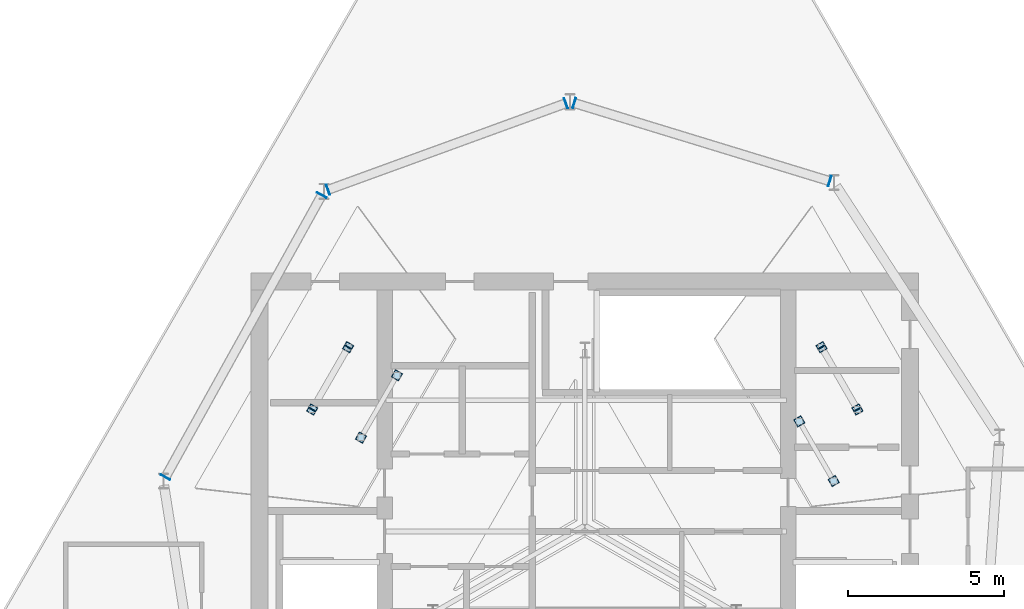
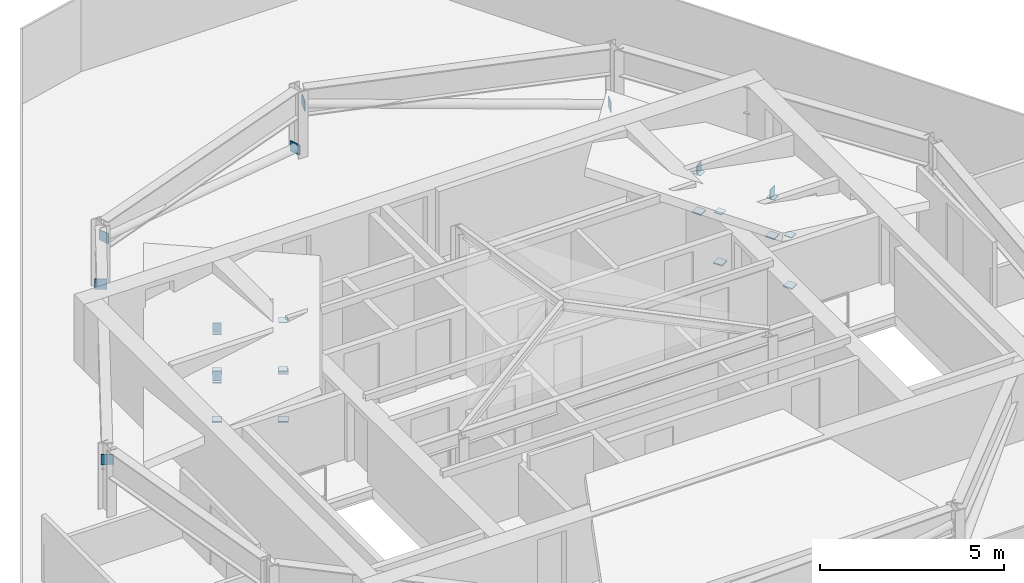
# One storey, part 6 of 9: 26 plates.
"""IFC4 building model written with IfcOpenShell, lengths in metres."""

from ifc_helpers import new_model, si_unit, direction, frame, origin, origin_2d, place, context, subcontext, project, spatial, rectangle, extrude, material, layer, layer_set, type_object, element, save


model = new_model("IFC4")

# Units and contexts
model_context = context("Model", 3, precision=1e-05, world=origin(), true_north=direction((0.0, 1.0)))
body_context = subcontext(model_context, "Body", "Model", "MODEL_VIEW")
ifc_project = project(units=[si_unit("LENGTHUNIT", "METRE"), si_unit("AREAUNIT", "SQUARE_METRE"), si_unit("VOLUMEUNIT", "CUBIC_METRE"), si_unit("PLANEANGLEUNIT", "RADIAN"), si_unit("MASSUNIT", "GRAM", prefix="KILO")], contexts=[model_context])

# Site, building, storey
site_placement = place(None, origin())
site = spatial("IfcSite", under=ifc_project, at=site_placement, CompositionType="ELEMENT")
building_placement = place(site_placement, origin())
building = spatial("IfcBuilding", under=site, at=building_placement, Name="Qarnah Convention Tower", CompositionType="ELEMENT")
storey_placement = place(building_placement, frame((0.0, 0.0, 292.89990234375)))
storey = spatial("IfcBuildingStorey", under=building, at=storey_placement, Name="L79", CompositionType="ELEMENT", Elevation=292.89990234375)

# Plates
ifc_material = material(Name="Structural steel S355JR", Category="steel")
ifc_layer_1 = layer(ifc_material, 0.0400390625)
ifc_layer_set_1 = layer_set([ifc_layer_1], Name="Structural steel S355JR")
plate_type_1 = type_object("IfcPlateType", Name="PLT-BASE-40", PredefinedType="USERDEFINED", material=ifc_layer_set_1)
for number, where, z_axis, x_axis, name in (
    (1, (31.193115234375, 31.196044921875, 0.0), (0.0, 0.0, 1.0), (-0.499972792763, -0.86604111132, 0.0), "L79 purlin post base plate 1.1A"),
    (2, (30.04296875, 29.2041015625, 0.0), (0.0, 0.0, 1.0), (-0.499972792763, -0.86604111132, 0.0), "L79 purlin post base plate 1.1B"),
    (3, (29.634033203125, 32.095947265625, 0.0), (0.0, 0.0, 1.0), (-0.499972792763, -0.86604111132, 0.0), "L79 purlin post base plate 1.2A"),
    (4, (28.48388671875, 30.10400390625, 0.0), (0.0, 0.0, 1.0), (-0.499972792763, -0.86604111132, 0.0), "L79 purlin post base plate 1.2B"),
    (5, (45.156982421875, 27.818115234375, 0.0), (0.0, 0.0, 1.0), (-0.499853377387, 0.866110039842, 0.0), "L79 purlin post base plate 3.1A"),
    (6, (44.056884765625, 29.72412109375, 0.0), (0.0, 0.0, 1.0), (-0.499853377387, 0.866110039842, 0.0), "L79 purlin post base plate 3.1B"),
    (7, (45.916015625, 30.10400390625, 0.0), (0.0, 0.0, 1.0), (-0.499972792763, 0.86604111132, 0.0), "L79 purlin post base plate 3.2A"),
    (8, (44.76611328125, 32.095947265625, 0.0), (0.0, 0.0, 1.0), (-0.499972792763, 0.86604111132, 0.0), "L79 purlin post base plate 3.2B"),
):
    element("IfcPlate", number, at=place(storey_placement, frame(where, z_axis=z_axis, x_axis=x_axis)), inside=storey, type_object=plate_type_1, Name=name, ObjectType="BASE_PLATE", PredefinedType="USERDEFINED", context=body_context, shape_type="SweptSolid", body=[
        extrude(rectangle(XDim=0.280029296875, YDim=0.280029296875, at=origin_2d()), origin(), (0.0, 0.0, 1.0), 0.0400390625),
    ])
ifc_layer_2 = layer(ifc_material, 0.028076171875)
ifc_layer_set_2 = layer_set([ifc_layer_2], Name="Structural steel S355JR")
plate_type_2 = type_object("IfcPlateType", Name="PLT-FLANGE-28", PredefinedType="USERDEFINED", material=ifc_layer_set_2)
for number, where, z_axis, x_axis, name in (
    (9, (45.030029296875, 37.403076171875, 0.080078125), (0.0, 0.0, 1.0), (-0.956288935732, 0.292423445361, 0.0), "L79 crown brace end cap plate 02.1"),
    (10, (36.861083984375, 39.90087890625, 1.47998046875), (0.0, 0.0, 1.0), (-0.956288935732, 0.292423445361, 0.0), "L79 crown brace end cap plate 02.2"),
    (11, (36.594970703125, 39.89404296875, 0.080078125), (0.0, 0.0, 1.0), (-0.939692620786, -0.342020143326, 0.0), "L79 crown brace end cap plate 03.1"),
    (12, (28.989990234375, 37.1259765625, 1.47998046875), (0.0, 0.0, 1.0), (-0.939692620786, -0.342020143326, 0.0), "L79 crown brace end cap plate 03.2"),
    (13, (28.7900390625, 36.9560546875, 0.080078125), (0.0, 0.0, 1.0), (-0.484753138759, -0.874651012955, 0.0), "L79 crown brace end cap plate 04.1"),
    (14, (23.7919921875, 27.93798828125, 1.47998046875), (0.0, 0.0, 1.0), (-0.484753138759, -0.874651012955, 0.0), "L79 crown brace end cap plate 04.2"),
):
    element("IfcPlate", number, at=place(storey_placement, frame(where, z_axis=z_axis, x_axis=x_axis)), inside=storey, type_object=plate_type_2, Name=name, ObjectType="FLANGE_PLATE", PredefinedType="USERDEFINED", context=body_context, shape_type="SweptSolid", body=[
        extrude(rectangle(XDim=0.028076171875, YDim=0.340087890625, at=origin_2d()), origin(), (0.0, 0.0, 1.0), 0.340087890625),
    ])
for number, where, z_axis, x_axis, name in (
    (15, (31.193115234375, 31.196044921875, 1.68603515625), (0.0, 0.0, 1.0), (-0.499972792763, -0.86604111132, 0.0), "L79 purlin post cap plate 1.1A"),
    (16, (30.04296875, 29.2041015625, 1.68603515625), (0.0, 0.0, 1.0), (-0.499972792763, -0.86604111132, 0.0), "L79 purlin post cap plate 1.1B"),
    (17, (29.634033203125, 32.095947265625, 1.2919921875), (0.0, 0.0, 1.0), (-0.499972792763, -0.86604111132, 0.0), "L79 purlin post cap plate 1.2A"),
):
    element("IfcPlate", number, at=place(storey_placement, frame(where, z_axis=z_axis, x_axis=x_axis)), inside=storey, type_object=plate_type_2, Name=name, ObjectType="FLANGE_PLATE", PredefinedType="USERDEFINED", context=body_context, shape_type="SweptSolid", body=[
        extrude(rectangle(XDim=0.239990234375, YDim=0.239990234375, at=origin_2d()), origin(), (0.0, 0.0, 1.0), 0.028076171875),
    ])
plate_1_placement = place(storey_placement, frame((29.634033203125, 32.095947265625, 1.27587890625), z_axis=(0.0, 0.0, 1.0), x_axis=(-0.499972792763, -0.86604111132, 0.0)))
element("IfcPlate", 18, at=plate_1_placement, inside=storey, type_object=plate_type_2, Name="L79 purlin end cap plate 1.2A", ObjectType="FLANGE_PLATE", PredefinedType="USERDEFINED", context=body_context, shape_type="SweptSolid", body=[
    extrude(rectangle(XDim=0.028076171875, YDim=0.239990234375, at=origin_2d()), origin(), (0.0, 0.0, 1.0), 0.340087890625),
])
plate_2_placement = place(storey_placement, frame((28.48388671875, 30.10400390625, 1.2919921875), z_axis=(0.0, 0.0, 1.0), x_axis=(-0.499972792763, -0.86604111132, 0.0)))
element("IfcPlate", 19, at=plate_2_placement, inside=storey, type_object=plate_type_2, Name="L79 purlin post cap plate 1.2B", ObjectType="FLANGE_PLATE", PredefinedType="USERDEFINED", context=body_context, shape_type="SweptSolid", body=[
    extrude(rectangle(XDim=0.239990234375, YDim=0.239990234375, at=origin_2d()), origin(), (0.0, 0.0, 1.0), 0.028076171875),
])
plate_3_placement = place(storey_placement, frame((28.48388671875, 30.10400390625, 1.27587890625), z_axis=(0.0, 0.0, 1.0), x_axis=(-0.499972792763, -0.86604111132, 0.0)))
element("IfcPlate", 20, at=plate_3_placement, inside=storey, type_object=plate_type_2, Name="L79 purlin end cap plate 1.2B", ObjectType="FLANGE_PLATE", PredefinedType="USERDEFINED", context=body_context, shape_type="SweptSolid", body=[
    extrude(rectangle(XDim=0.028076171875, YDim=0.239990234375, at=origin_2d()), origin(), (0.0, 0.0, 1.0), 0.340087890625),
])
for number, where, z_axis, x_axis, name in (
    (21, (45.156982421875, 27.818115234375, 1.68603515625), (0.0, 0.0, 1.0), (-0.499853377387, 0.866110039842, 0.0), "L79 purlin post cap plate 3.1A"),
    (22, (44.056884765625, 29.72412109375, 1.68603515625), (0.0, 0.0, 1.0), (-0.499853377387, 0.866110039842, 0.0), "L79 purlin post cap plate 3.1B"),
    (23, (45.916015625, 30.10400390625, 1.2919921875), (0.0, 0.0, 1.0), (-0.499972792763, 0.86604111132, 0.0), "L79 purlin post cap plate 3.2A"),
):
    element("IfcPlate", number, at=place(storey_placement, frame(where, z_axis=z_axis, x_axis=x_axis)), inside=storey, type_object=plate_type_2, Name=name, ObjectType="FLANGE_PLATE", PredefinedType="USERDEFINED", context=body_context, shape_type="SweptSolid", body=[
        extrude(rectangle(XDim=0.239990234375, YDim=0.239990234375, at=origin_2d()), origin(), (0.0, 0.0, 1.0), 0.028076171875),
    ])
plate_4_placement = place(storey_placement, frame((45.916015625, 30.10400390625, 1.27587890625), z_axis=(0.0, 0.0, 1.0), x_axis=(-0.499972792763, 0.86604111132, 0.0)))
element("IfcPlate", 24, at=plate_4_placement, inside=storey, type_object=plate_type_2, Name="L79 purlin end cap plate 3.2A", ObjectType="FLANGE_PLATE", PredefinedType="USERDEFINED", context=body_context, shape_type="SweptSolid", body=[
    extrude(rectangle(XDim=0.028076171875, YDim=0.239990234375, at=origin_2d()), origin(), (0.0, 0.0, 1.0), 0.340087890625),
])
plate_5_placement = place(storey_placement, frame((44.76611328125, 32.095947265625, 1.2919921875), z_axis=(0.0, 0.0, 1.0), x_axis=(-0.499972792763, 0.86604111132, 0.0)))
element("IfcPlate", 25, at=plate_5_placement, inside=storey, type_object=plate_type_2, Name="L79 purlin post cap plate 3.2B", ObjectType="FLANGE_PLATE", PredefinedType="USERDEFINED", context=body_context, shape_type="SweptSolid", body=[
    extrude(rectangle(XDim=0.239990234375, YDim=0.239990234375, at=origin_2d()), origin(), (0.0, 0.0, 1.0), 0.028076171875),
])
plate_6_placement = place(storey_placement, frame((44.76611328125, 32.095947265625, 1.27587890625), z_axis=(0.0, 0.0, 1.0), x_axis=(-0.499972792763, 0.86604111132, 0.0)))
element("IfcPlate", 26, at=plate_6_placement, inside=storey, type_object=plate_type_2, Name="L79 purlin end cap plate 3.2B", ObjectType="FLANGE_PLATE", PredefinedType="USERDEFINED", context=body_context, shape_type="SweptSolid", body=[
    extrude(rectangle(XDim=0.028076171875, YDim=0.239990234375, at=origin_2d()), origin(), (0.0, 0.0, 1.0), 0.340087890625),
])

save(model, "model.ifc")
